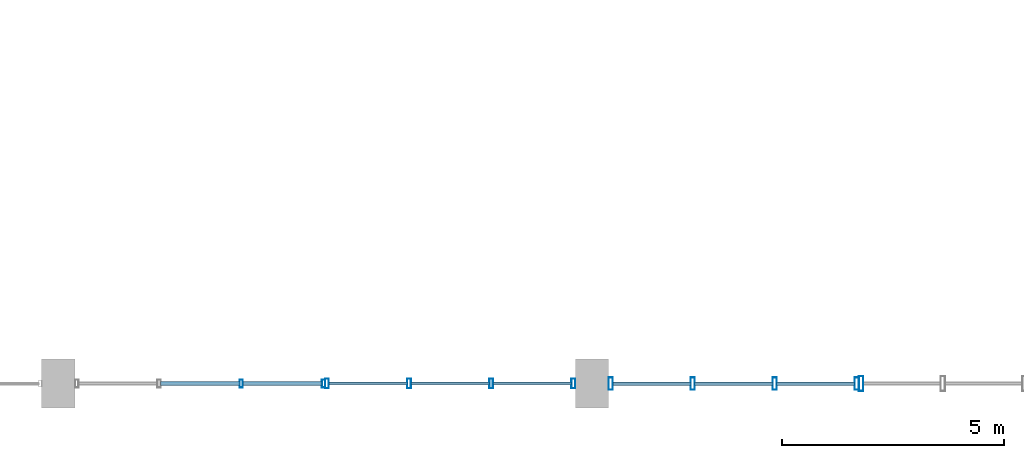
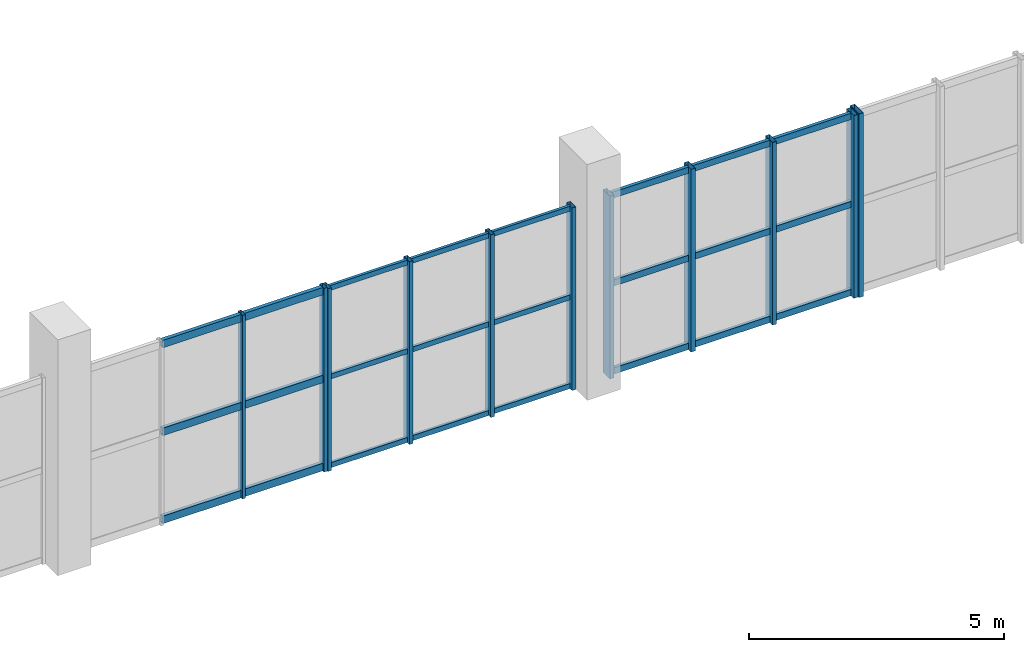
# One storey, part 9 of 28: 35 members, 4 elements without a shape of their own.
"""IFC4 building model written with IfcOpenShell, lengths in metres."""

from ifc_helpers import new_model, si_unit, direction, frame, origin, origin_2d, place, context, subcontext, project, spatial, hollow_rectangle, extrude, material, layer, layer_set, material_profile, profile_set, type_object, element, aggregate, save


model = new_model("IFC4")

# Units and contexts
model_context = context("Model", 3, precision=1e-05, world=origin(), true_north=direction((0.0, 1.0)))
body_context = subcontext(model_context, "Body", "Model", "MODEL_VIEW")
ifc_project = project(units=[si_unit("LENGTHUNIT", "METRE"), si_unit("AREAUNIT", "SQUARE_METRE"), si_unit("VOLUMEUNIT", "CUBIC_METRE"), si_unit("PLANEANGLEUNIT", "RADIAN"), si_unit("MASSUNIT", "GRAM", prefix="KILO"), si_unit("POWERUNIT", "WATT"), si_unit("THERMODYNAMICTEMPERATUREUNIT", "KELVIN")], contexts=[model_context])

# Site, building, storey
site_placement = place(None, origin())
site = spatial("IfcSite", under=ifc_project, at=site_placement, CompositionType="ELEMENT")
building_placement = place(site_placement, origin())
building = spatial("IfcBuilding", under=site, at=building_placement, Name="Kelmbourne Parkland Aquatics Centre", CompositionType="ELEMENT")
storey_placement = place(building_placement, frame((0.0, 0.0, 19.199951171875)))
storey = spatial("IfcBuildingStorey", under=building, at=storey_placement, Name="L04", CompositionType="ELEMENT", Elevation=19.199951171875)

# Curtain wall, members
ifc_material = material(Name="Thermally broken anodised aluminium framing", Category="aluminium")
ifc_layer_1 = layer(ifc_material, 0.179931640625)
ifc_layer_set_1 = layer_set([ifc_layer_1], Name="Thermally broken anodised aluminium framing")
curtain_wall_type_1 = type_object("IfcCurtainWallType", Name="CW-11", PredefinedType="NOTDEFINED", material=ifc_layer_set_1)
curtain_wall_1_placement = place(storey_placement, origin())
curtain_wall_1 = element("IfcCurtainWall", 1, at=curtain_wall_1_placement, inside=storey, type_object=curtain_wall_type_1, Name="Wave-hall clerestory curtain wall CW-L04-131", PredefinedType="NOTDEFINED")
ifc_material_profile_1 = material_profile(ifc_material, hollow_rectangle(XDim=0.074951171875, YDim=0.179931640625, WallThickness=0.00439453125, at=origin_2d()), Name="CW-M 75x180")
ifc_profile_set_1 = profile_set([ifc_material_profile_1], Name="Thermally broken anodised aluminium framing")
member_type_1 = type_object("IfcMemberType", Name="MB-MUL-2", PredefinedType="MULLION", material=ifc_profile_set_1)
member_1_placement = place(storey_placement, frame((144.11328125, 0.800048828125, 0.0), z_axis=(0.0, 0.0, 1.0), x_axis=(1.0, 0.0, 0.0)))
member_1 = element("IfcMember", 2, at=member_1_placement, type_object=member_type_1, Name="CW-L04-131 mullion 2", PredefinedType="MULLION", context=body_context, shape_type="SweptSolid", body=[
    extrude(hollow_rectangle(XDim=0.074951171875, YDim=0.179931640625, WallThickness=0.00439453125, at=origin_2d()), origin(), (0.0, 0.0, 1.0), 4.400634765625),
])
member_2_placement = place(storey_placement, frame((145.96240234375, 0.800048828125, 0.0), z_axis=(0.0, 0.0, 1.0), x_axis=(1.0, 0.0, 0.0)))
member_2 = element("IfcMember", 3, at=member_2_placement, type_object=member_type_1, Name="CW-L04-131 mullion 3", PredefinedType="MULLION", context=body_context, shape_type="SweptSolid", body=[
    extrude(hollow_rectangle(XDim=0.074951171875, YDim=0.179931640625, WallThickness=0.00439453125, at=origin_2d()), origin(), (0.0, 0.0, 1.0), 4.400634765625),
])

ifc_layer_2 = layer(ifc_material, 0.179931640625)
ifc_layer_set_2 = layer_set([ifc_layer_2], Name="Thermally broken anodised aluminium framing")
curtain_wall_type_2 = type_object("IfcCurtainWallType", Name="CW-12", PredefinedType="NOTDEFINED", material=ifc_layer_set_2)
curtain_wall_2_placement = place(storey_placement, origin())
curtain_wall_2 = element("IfcCurtainWall", 4, at=curtain_wall_2_placement, inside=storey, type_object=curtain_wall_type_2, Name="Wave-hall clerestory curtain wall CW-L04-132", PredefinedType="NOTDEFINED")
ifc_material_profile_2 = material_profile(ifc_material, hollow_rectangle(XDim=0.0849609375, YDim=0.219970703125, WallThickness=0.0048828125, at=origin_2d()), Name="CW-M 85x220")
ifc_profile_set_2 = profile_set([ifc_material_profile_2], Name="Thermally broken anodised aluminium framing")
member_type_2 = type_object("IfcMemberType", Name="MB-MUL-3", PredefinedType="MULLION", material=ifc_profile_set_2)
member_3_placement = place(storey_placement, frame((146.04248046875, 0.800048828125, 0.0), z_axis=(0.0, 0.0, 1.0), x_axis=(1.0, 0.0, 0.0)))
member_3 = element("IfcMember", 5, at=member_3_placement, type_object=member_type_2, Name="CW-L04-132 mullion 0", PredefinedType="MULLION", context=body_context, shape_type="SweptSolid", body=[
    extrude(hollow_rectangle(XDim=0.0849609375, YDim=0.219970703125, WallThickness=0.0048828125, at=origin_2d()), origin(), (0.0, 0.0, 1.0), 4.376953125),
])
member_4_placement = place(storey_placement, frame((147.888427734375, 0.800048828125, 0.0), z_axis=(0.0, 0.0, 1.0), x_axis=(1.0, 0.0, 0.0)))
member_4 = element("IfcMember", 6, at=member_4_placement, type_object=member_type_2, Name="CW-L04-132 mullion 1", PredefinedType="MULLION", context=body_context, shape_type="SweptSolid", body=[
    extrude(hollow_rectangle(XDim=0.0849609375, YDim=0.219970703125, WallThickness=0.0048828125, at=origin_2d()), origin(), (0.0, 0.0, 1.0), 4.376953125),
])
member_5_placement = place(storey_placement, frame((149.734619140625, 0.800048828125, 0.0), z_axis=(0.0, 0.0, 1.0), x_axis=(1.0, 0.0, 0.0)))
member_5 = element("IfcMember", 7, at=member_5_placement, type_object=member_type_2, Name="CW-L04-132 mullion 2", PredefinedType="MULLION", context=body_context, shape_type="SweptSolid", body=[
    extrude(hollow_rectangle(XDim=0.0849609375, YDim=0.219970703125, WallThickness=0.0048828125, at=origin_2d()), origin(), (0.0, 0.0, 1.0), 4.376953125),
])
member_6_placement = place(storey_placement, frame((151.58056640625, 0.800048828125, 0.0), z_axis=(0.0, 0.0, 1.0), x_axis=(1.0, 0.0, 0.0)))
member_6 = element("IfcMember", 8, at=member_6_placement, type_object=member_type_2, Name="CW-L04-132 mullion 3", PredefinedType="MULLION", context=body_context, shape_type="SweptSolid", body=[
    extrude(hollow_rectangle(XDim=0.0849609375, YDim=0.219970703125, WallThickness=0.0048828125, at=origin_2d()), origin(), (0.0, 0.0, 1.0), 4.376953125),
])

ifc_layer_3 = layer(ifc_material, 0.179931640625)
ifc_layer_set_3 = layer_set([ifc_layer_3], Name="Thermally broken anodised aluminium framing")
curtain_wall_type_3 = type_object("IfcCurtainWallType", Name="CW-13", PredefinedType="NOTDEFINED", material=ifc_layer_set_3)
curtain_wall_3_placement = place(storey_placement, origin())
curtain_wall_3 = element("IfcCurtainWall", 9, at=curtain_wall_3_placement, inside=storey, type_object=curtain_wall_type_3, Name="Wave-hall clerestory curtain wall CW-L04-133", PredefinedType="NOTDEFINED")
ifc_material_profile_3 = material_profile(ifc_material, hollow_rectangle(XDim=0.094970703125, YDim=0.280029296875, WallThickness=0.005615234375, at=origin_2d()), Name="CW-M 95x280")
ifc_profile_set_3 = profile_set([ifc_material_profile_3], Name="Thermally broken anodised aluminium framing")
member_type_3 = type_object("IfcMemberType", Name="MB-MUL-4", PredefinedType="MULLION", material=ifc_profile_set_3)
member_7_placement = place(storey_placement, frame((152.424560546875, 0.800048828125, 0.0), z_axis=(0.0, 0.0, 1.0), x_axis=(1.0, 0.0, 0.0)))
member_7 = element("IfcMember", 10, at=member_7_placement, type_object=member_type_3, Name="CW-L04-133 mullion 0", PredefinedType="MULLION", context=body_context, shape_type="SweptSolid", body=[
    extrude(hollow_rectangle(XDim=0.094970703125, YDim=0.280029296875, WallThickness=0.005615234375, at=origin_2d()), origin(), (0.0, 0.0, 1.0), 4.376953125),
])
member_8_placement = place(storey_placement, frame((154.26708984375, 0.800048828125, 0.0), z_axis=(0.0, 0.0, 1.0), x_axis=(1.0, 0.0, 0.0)))
member_8 = element("IfcMember", 11, at=member_8_placement, type_object=member_type_3, Name="CW-L04-133 mullion 1", PredefinedType="MULLION", context=body_context, shape_type="SweptSolid", body=[
    extrude(hollow_rectangle(XDim=0.094970703125, YDim=0.280029296875, WallThickness=0.005615234375, at=origin_2d()), origin(), (0.0, 0.0, 1.0), 4.376953125),
])
member_9_placement = place(storey_placement, frame((156.10986328125, 0.800048828125, 0.0), z_axis=(0.0, 0.0, 1.0), x_axis=(1.0, 0.0, 0.0)))
member_9 = element("IfcMember", 12, at=member_9_placement, type_object=member_type_3, Name="CW-L04-133 mullion 2", PredefinedType="MULLION", context=body_context, shape_type="SweptSolid", body=[
    extrude(hollow_rectangle(XDim=0.094970703125, YDim=0.280029296875, WallThickness=0.005615234375, at=origin_2d()), origin(), (0.0, 0.0, 1.0), 4.376953125),
])
member_10_placement = place(storey_placement, frame((157.952392578125, 0.800048828125, 0.0), z_axis=(0.0, 0.0, 1.0), x_axis=(1.0, 0.0, 0.0)))
member_10 = element("IfcMember", 13, at=member_10_placement, type_object=member_type_3, Name="CW-L04-133 mullion 3", PredefinedType="MULLION", context=body_context, shape_type="SweptSolid", body=[
    extrude(hollow_rectangle(XDim=0.094970703125, YDim=0.280029296875, WallThickness=0.005615234375, at=origin_2d()), origin(), (0.0, 0.0, 1.0), 4.376953125),
])

# Curtain wall, member
ifc_layer_4 = layer(ifc_material, 0.179931640625)
ifc_layer_set_4 = layer_set([ifc_layer_4], Name="Thermally broken anodised aluminium framing")
curtain_wall_type_4 = type_object("IfcCurtainWallType", Name="CW-14", PredefinedType="NOTDEFINED", material=ifc_layer_set_4)
curtain_wall_4_placement = place(storey_placement, origin())
curtain_wall_4 = element("IfcCurtainWall", 14, at=curtain_wall_4_placement, inside=storey, type_object=curtain_wall_type_4, Name="Wave-hall clerestory curtain wall CW-L04-134", PredefinedType="NOTDEFINED")
ifc_material_profile_4 = material_profile(ifc_material, hollow_rectangle(XDim=0.10498046875, YDim=0.340087890625, WallThickness=0.006103515625, at=origin_2d()), Name="CW-M 105x340")
ifc_profile_set_4 = profile_set([ifc_material_profile_4], Name="Thermally broken anodised aluminium framing")
member_type_4 = type_object("IfcMemberType", Name="MB-MUL-5", PredefinedType="MULLION", material=ifc_profile_set_4)
member_11_placement = place(storey_placement, frame((158.052490234375, 0.800048828125, 0.0), z_axis=(0.0, 0.0, 1.0), x_axis=(1.0, 0.0, 0.0)))
member_11 = element("IfcMember", 15, at=member_11_placement, type_object=member_type_4, Name="CW-L04-134 mullion 0", PredefinedType="MULLION", context=body_context, shape_type="SweptSolid", body=[
    extrude(hollow_rectangle(XDim=0.10498046875, YDim=0.340087890625, WallThickness=0.006103515625, at=origin_2d()), origin(), (0.0, 0.0, 1.0), 4.400634765625),
])
aggregate(curtain_wall_4, [member_11])

# Member
ifc_material_profile_5 = material_profile(ifc_material, hollow_rectangle(XDim=0.06494140625, YDim=0.1201171875, WallThickness=0.00341796875, at=origin_2d()), Name="CW-T 65x120")
ifc_profile_set_5 = profile_set([ifc_material_profile_5], Name="Thermally broken anodised aluminium framing")
member_type_5 = type_object("IfcMemberType", Name="MB-TRN-1", PredefinedType="USERDEFINED", material=ifc_profile_set_5)
member_12_placement = place(storey_placement, frame((146.0810546875, 0.800048828125, 0.06298828125), z_axis=(1.0, 0.0, 0.0), x_axis=(0.0, 1.0, 0.0)))
member_12 = element("IfcMember", 16, at=member_12_placement, type_object=member_type_5, Name="CW-L04-132 transom 0-0", ObjectType="TRANSOM", PredefinedType="USERDEFINED", context=body_context, shape_type="SweptSolid", body=[
    extrude(hollow_rectangle(XDim=0.06494140625, YDim=0.1201171875, WallThickness=0.00341796875, at=origin_2d()), origin(), (0.0, 0.0, 1.0), 1.76904296875),
])

member_13_placement = place(storey_placement, frame((147.927001953125, 0.800048828125, 0.06298828125), z_axis=(1.0, 0.0, 0.0), x_axis=(0.0, 1.0, 0.0)))
member_13 = element("IfcMember", 17, at=member_13_placement, type_object=member_type_5, Name="CW-L04-132 transom 0-1", ObjectType="TRANSOM", PredefinedType="USERDEFINED", context=body_context, shape_type="SweptSolid", body=[
    extrude(hollow_rectangle(XDim=0.06494140625, YDim=0.1201171875, WallThickness=0.00341796875, at=origin_2d()), origin(), (0.0, 0.0, 1.0), 1.76904296875),
])

member_14_placement = place(storey_placement, frame((149.77294921875, 0.800048828125, 0.06298828125), z_axis=(1.0, 0.0, 0.0), x_axis=(0.0, 1.0, 0.0)))
member_14 = element("IfcMember", 18, at=member_14_placement, type_object=member_type_5, Name="CW-L04-132 transom 0-2", ObjectType="TRANSOM", PredefinedType="USERDEFINED", context=body_context, shape_type="SweptSolid", body=[
    extrude(hollow_rectangle(XDim=0.06494140625, YDim=0.1201171875, WallThickness=0.00341796875, at=origin_2d()), origin(), (0.0, 0.0, 1.0), 1.76904296875),
])

member_15_placement = place(storey_placement, frame((146.0810546875, 0.800048828125, 2.1884765625), z_axis=(1.0, 0.0, 0.0), x_axis=(0.0, 1.0, 0.0)))
member_15 = element("IfcMember", 19, at=member_15_placement, type_object=member_type_5, Name="CW-L04-132 transom 1-0", ObjectType="TRANSOM", PredefinedType="USERDEFINED", context=body_context, shape_type="SweptSolid", body=[
    extrude(hollow_rectangle(XDim=0.06494140625, YDim=0.1201171875, WallThickness=0.00341796875, at=origin_2d()), origin(), (0.0, 0.0, 1.0), 1.76904296875),
])

member_16_placement = place(storey_placement, frame((147.927001953125, 0.800048828125, 2.1884765625), z_axis=(1.0, 0.0, 0.0), x_axis=(0.0, 1.0, 0.0)))
member_16 = element("IfcMember", 20, at=member_16_placement, type_object=member_type_5, Name="CW-L04-132 transom 1-1", ObjectType="TRANSOM", PredefinedType="USERDEFINED", context=body_context, shape_type="SweptSolid", body=[
    extrude(hollow_rectangle(XDim=0.06494140625, YDim=0.1201171875, WallThickness=0.00341796875, at=origin_2d()), origin(), (0.0, 0.0, 1.0), 1.76904296875),
])

member_17_placement = place(storey_placement, frame((149.77294921875, 0.800048828125, 2.1884765625), z_axis=(1.0, 0.0, 0.0), x_axis=(0.0, 1.0, 0.0)))
member_17 = element("IfcMember", 21, at=member_17_placement, type_object=member_type_5, Name="CW-L04-132 transom 1-2", ObjectType="TRANSOM", PredefinedType="USERDEFINED", context=body_context, shape_type="SweptSolid", body=[
    extrude(hollow_rectangle(XDim=0.06494140625, YDim=0.1201171875, WallThickness=0.00341796875, at=origin_2d()), origin(), (0.0, 0.0, 1.0), 1.76904296875),
])

member_18_placement = place(storey_placement, frame((146.0810546875, 0.800048828125, 4.31396484375), z_axis=(1.0, 0.0, 0.0), x_axis=(0.0, 1.0, 0.0)))
member_18 = element("IfcMember", 22, at=member_18_placement, type_object=member_type_5, Name="CW-L04-132 transom 2-0", ObjectType="TRANSOM", PredefinedType="USERDEFINED", context=body_context, shape_type="SweptSolid", body=[
    extrude(hollow_rectangle(XDim=0.06494140625, YDim=0.1201171875, WallThickness=0.00341796875, at=origin_2d()), origin(), (0.0, 0.0, 1.0), 1.76904296875),
])

member_19_placement = place(storey_placement, frame((147.927001953125, 0.800048828125, 4.31396484375), z_axis=(1.0, 0.0, 0.0), x_axis=(0.0, 1.0, 0.0)))
member_19 = element("IfcMember", 23, at=member_19_placement, type_object=member_type_5, Name="CW-L04-132 transom 2-1", ObjectType="TRANSOM", PredefinedType="USERDEFINED", context=body_context, shape_type="SweptSolid", body=[
    extrude(hollow_rectangle(XDim=0.06494140625, YDim=0.1201171875, WallThickness=0.00341796875, at=origin_2d()), origin(), (0.0, 0.0, 1.0), 1.76904296875),
])

member_20_placement = place(storey_placement, frame((149.77294921875, 0.800048828125, 4.31396484375), z_axis=(1.0, 0.0, 0.0), x_axis=(0.0, 1.0, 0.0)))
member_20 = element("IfcMember", 24, at=member_20_placement, type_object=member_type_5, Name="CW-L04-132 transom 2-2", ObjectType="TRANSOM", PredefinedType="USERDEFINED", context=body_context, shape_type="SweptSolid", body=[
    extrude(hollow_rectangle(XDim=0.06494140625, YDim=0.1201171875, WallThickness=0.00341796875, at=origin_2d()), origin(), (0.0, 0.0, 1.0), 1.76904296875),
])

aggregate(curtain_wall_2, [member_3, member_4, member_5, member_6, member_12, member_13, member_14, member_15, member_16, member_17, member_18, member_19, member_20])

ifc_material_profile_6 = material_profile(ifc_material, hollow_rectangle(XDim=0.074951171875, YDim=0.14990234375, WallThickness=0.00390625, at=origin_2d()), Name="CW-T 75x150")
ifc_profile_set_6 = profile_set([ifc_material_profile_6], Name="Thermally broken anodised aluminium framing")
member_type_6 = type_object("IfcMemberType", Name="MB-TRN-2", PredefinedType="USERDEFINED", material=ifc_profile_set_6)
member_21_placement = place(storey_placement, frame((152.468017578125, 0.800048828125, 0.078125), z_axis=(1.0, 0.0, 0.0), x_axis=(0.0, 1.0, 0.0)))
member_21 = element("IfcMember", 25, at=member_21_placement, type_object=member_type_6, Name="CW-L04-133 transom 0-0", ObjectType="TRANSOM", PredefinedType="USERDEFINED", context=body_context, shape_type="SweptSolid", body=[
    extrude(hollow_rectangle(XDim=0.074951171875, YDim=0.14990234375, WallThickness=0.00390625, at=origin_2d()), origin(), (0.0, 0.0, 1.0), 1.755615234375),
])

member_22_placement = place(storey_placement, frame((154.310791015625, 0.800048828125, 0.078125), z_axis=(1.0, 0.0, 0.0), x_axis=(0.0, 1.0, 0.0)))
member_22 = element("IfcMember", 26, at=member_22_placement, type_object=member_type_6, Name="CW-L04-133 transom 0-1", ObjectType="TRANSOM", PredefinedType="USERDEFINED", context=body_context, shape_type="SweptSolid", body=[
    extrude(hollow_rectangle(XDim=0.074951171875, YDim=0.14990234375, WallThickness=0.00390625, at=origin_2d()), origin(), (0.0, 0.0, 1.0), 1.755615234375),
])

member_23_placement = place(storey_placement, frame((156.1533203125, 0.800048828125, 0.078125), z_axis=(1.0, 0.0, 0.0), x_axis=(0.0, 1.0, 0.0)))
member_23 = element("IfcMember", 27, at=member_23_placement, type_object=member_type_6, Name="CW-L04-133 transom 0-2", ObjectType="TRANSOM", PredefinedType="USERDEFINED", context=body_context, shape_type="SweptSolid", body=[
    extrude(hollow_rectangle(XDim=0.074951171875, YDim=0.14990234375, WallThickness=0.00390625, at=origin_2d()), origin(), (0.0, 0.0, 1.0), 1.755615234375),
])

member_24_placement = place(storey_placement, frame((152.468017578125, 0.800048828125, 2.1884765625), z_axis=(1.0, 0.0, 0.0), x_axis=(0.0, 1.0, 0.0)))
member_24 = element("IfcMember", 28, at=member_24_placement, type_object=member_type_6, Name="CW-L04-133 transom 1-0", ObjectType="TRANSOM", PredefinedType="USERDEFINED", context=body_context, shape_type="SweptSolid", body=[
    extrude(hollow_rectangle(XDim=0.074951171875, YDim=0.14990234375, WallThickness=0.00390625, at=origin_2d()), origin(), (0.0, 0.0, 1.0), 1.755615234375),
])

member_25_placement = place(storey_placement, frame((154.310791015625, 0.800048828125, 2.1884765625), z_axis=(1.0, 0.0, 0.0), x_axis=(0.0, 1.0, 0.0)))
member_25 = element("IfcMember", 29, at=member_25_placement, type_object=member_type_6, Name="CW-L04-133 transom 1-1", ObjectType="TRANSOM", PredefinedType="USERDEFINED", context=body_context, shape_type="SweptSolid", body=[
    extrude(hollow_rectangle(XDim=0.074951171875, YDim=0.14990234375, WallThickness=0.00390625, at=origin_2d()), origin(), (0.0, 0.0, 1.0), 1.755615234375),
])

member_26_placement = place(storey_placement, frame((156.1533203125, 0.800048828125, 2.1884765625), z_axis=(1.0, 0.0, 0.0), x_axis=(0.0, 1.0, 0.0)))
member_26 = element("IfcMember", 30, at=member_26_placement, type_object=member_type_6, Name="CW-L04-133 transom 1-2", ObjectType="TRANSOM", PredefinedType="USERDEFINED", context=body_context, shape_type="SweptSolid", body=[
    extrude(hollow_rectangle(XDim=0.074951171875, YDim=0.14990234375, WallThickness=0.00390625, at=origin_2d()), origin(), (0.0, 0.0, 1.0), 1.755615234375),
])

member_27_placement = place(storey_placement, frame((152.468017578125, 0.800048828125, 4.299072265625), z_axis=(1.0, 0.0, 0.0), x_axis=(0.0, 1.0, 0.0)))
member_27 = element("IfcMember", 31, at=member_27_placement, type_object=member_type_6, Name="CW-L04-133 transom 2-0", ObjectType="TRANSOM", PredefinedType="USERDEFINED", context=body_context, shape_type="SweptSolid", body=[
    extrude(hollow_rectangle(XDim=0.074951171875, YDim=0.14990234375, WallThickness=0.00390625, at=origin_2d()), origin(), (0.0, 0.0, 1.0), 1.755615234375),
])

member_28_placement = place(storey_placement, frame((154.310791015625, 0.800048828125, 4.299072265625), z_axis=(1.0, 0.0, 0.0), x_axis=(0.0, 1.0, 0.0)))
member_28 = element("IfcMember", 32, at=member_28_placement, type_object=member_type_6, Name="CW-L04-133 transom 2-1", ObjectType="TRANSOM", PredefinedType="USERDEFINED", context=body_context, shape_type="SweptSolid", body=[
    extrude(hollow_rectangle(XDim=0.074951171875, YDim=0.14990234375, WallThickness=0.00390625, at=origin_2d()), origin(), (0.0, 0.0, 1.0), 1.755615234375),
])

member_29_placement = place(storey_placement, frame((156.1533203125, 0.800048828125, 4.299072265625), z_axis=(1.0, 0.0, 0.0), x_axis=(0.0, 1.0, 0.0)))
member_29 = element("IfcMember", 33, at=member_29_placement, type_object=member_type_6, Name="CW-L04-133 transom 2-2", ObjectType="TRANSOM", PredefinedType="USERDEFINED", context=body_context, shape_type="SweptSolid", body=[
    extrude(hollow_rectangle(XDim=0.074951171875, YDim=0.14990234375, WallThickness=0.00390625, at=origin_2d()), origin(), (0.0, 0.0, 1.0), 1.755615234375),
])

aggregate(curtain_wall_3, [member_7, member_8, member_9, member_10, member_21, member_22, member_23, member_24, member_25, member_26, member_27, member_28, member_29])

ifc_material_profile_7 = material_profile(ifc_material, hollow_rectangle(XDim=0.0849609375, YDim=0.179931640625, WallThickness=0.00439453125, at=origin_2d()), Name="CW-T 85x180")
ifc_profile_set_7 = profile_set([ifc_material_profile_7], Name="Thermally broken anodised aluminium framing")
member_type_7 = type_object("IfcMemberType", Name="MB-TRN-3", PredefinedType="USERDEFINED", material=ifc_profile_set_7)
member_30_placement = place(storey_placement, frame((142.29736328125, 0.800048828125, 0.093017578125), z_axis=(1.0, 0.0, 0.0), x_axis=(0.0, 1.0, 0.0)))
member_30 = element("IfcMember", 34, at=member_30_placement, type_object=member_type_7, Name="CW-L04-131 transom 0-1", ObjectType="TRANSOM", PredefinedType="USERDEFINED", context=body_context, shape_type="SweptSolid", body=[
    extrude(hollow_rectangle(XDim=0.0849609375, YDim=0.179931640625, WallThickness=0.00439453125, at=origin_2d()), origin(), (0.0, 0.0, 1.0), 1.7822265625),
])

member_31_placement = place(storey_placement, frame((144.146728515625, 0.800048828125, 0.093017578125), z_axis=(1.0, 0.0, 0.0), x_axis=(0.0, 1.0, 0.0)))
member_31 = element("IfcMember", 35, at=member_31_placement, type_object=member_type_7, Name="CW-L04-131 transom 0-2", ObjectType="TRANSOM", PredefinedType="USERDEFINED", context=body_context, shape_type="SweptSolid", body=[
    extrude(hollow_rectangle(XDim=0.0849609375, YDim=0.179931640625, WallThickness=0.00439453125, at=origin_2d()), origin(), (0.0, 0.0, 1.0), 1.7822265625),
])

member_32_placement = place(storey_placement, frame((142.29736328125, 0.800048828125, 2.200439453125), z_axis=(1.0, 0.0, 0.0), x_axis=(0.0, 1.0, 0.0)))
member_32 = element("IfcMember", 36, at=member_32_placement, type_object=member_type_7, Name="CW-L04-131 transom 1-1", ObjectType="TRANSOM", PredefinedType="USERDEFINED", context=body_context, shape_type="SweptSolid", body=[
    extrude(hollow_rectangle(XDim=0.0849609375, YDim=0.179931640625, WallThickness=0.00439453125, at=origin_2d()), origin(), (0.0, 0.0, 1.0), 1.7822265625),
])

member_33_placement = place(storey_placement, frame((144.146728515625, 0.800048828125, 2.200439453125), z_axis=(1.0, 0.0, 0.0), x_axis=(0.0, 1.0, 0.0)))
member_33 = element("IfcMember", 37, at=member_33_placement, type_object=member_type_7, Name="CW-L04-131 transom 1-2", ObjectType="TRANSOM", PredefinedType="USERDEFINED", context=body_context, shape_type="SweptSolid", body=[
    extrude(hollow_rectangle(XDim=0.0849609375, YDim=0.179931640625, WallThickness=0.00439453125, at=origin_2d()), origin(), (0.0, 0.0, 1.0), 1.7822265625),
])

member_34_placement = place(storey_placement, frame((142.29736328125, 0.800048828125, 4.3076171875), z_axis=(1.0, 0.0, 0.0), x_axis=(0.0, 1.0, 0.0)))
member_34 = element("IfcMember", 38, at=member_34_placement, type_object=member_type_7, Name="CW-L04-131 transom 2-1", ObjectType="TRANSOM", PredefinedType="USERDEFINED", context=body_context, shape_type="SweptSolid", body=[
    extrude(hollow_rectangle(XDim=0.0849609375, YDim=0.179931640625, WallThickness=0.00439453125, at=origin_2d()), origin(), (0.0, 0.0, 1.0), 1.7822265625),
])

member_35_placement = place(storey_placement, frame((144.146728515625, 0.800048828125, 4.3076171875), z_axis=(1.0, 0.0, 0.0), x_axis=(0.0, 1.0, 0.0)))
member_35 = element("IfcMember", 39, at=member_35_placement, type_object=member_type_7, Name="CW-L04-131 transom 2-2", ObjectType="TRANSOM", PredefinedType="USERDEFINED", context=body_context, shape_type="SweptSolid", body=[
    extrude(hollow_rectangle(XDim=0.0849609375, YDim=0.179931640625, WallThickness=0.00439453125, at=origin_2d()), origin(), (0.0, 0.0, 1.0), 1.7822265625),
])

aggregate(curtain_wall_1, [member_1, member_2, member_30, member_31, member_32, member_33, member_34, member_35])

save(model, "model.ifc")
